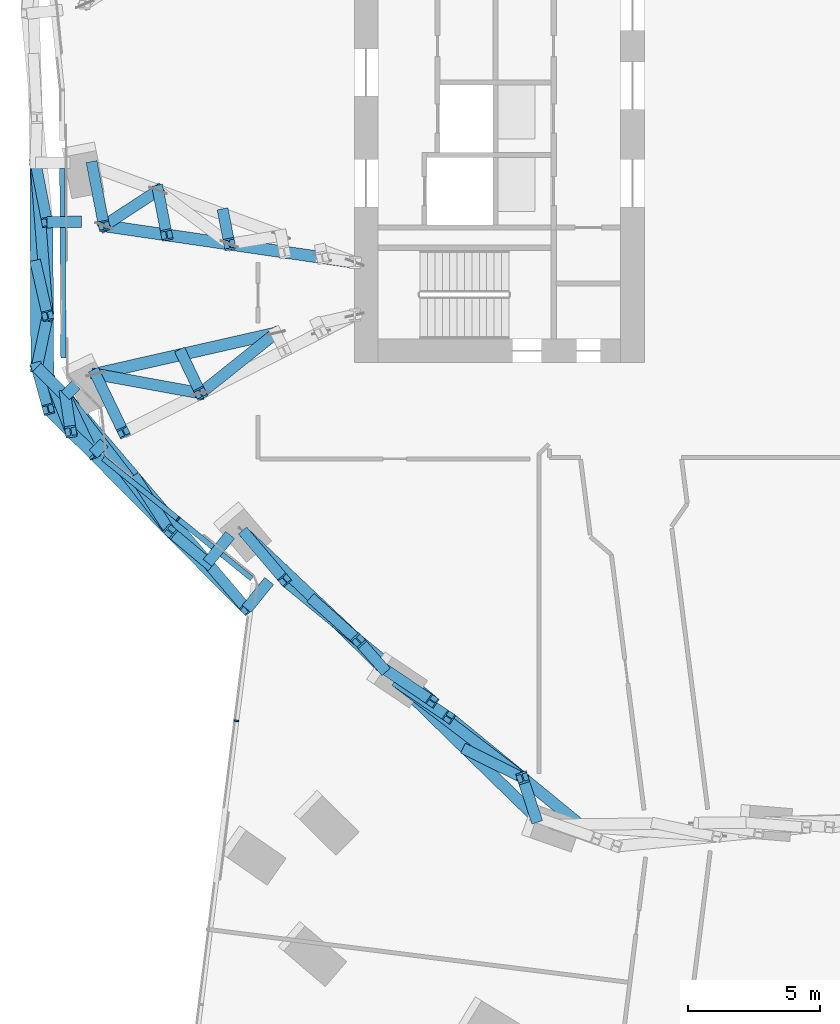
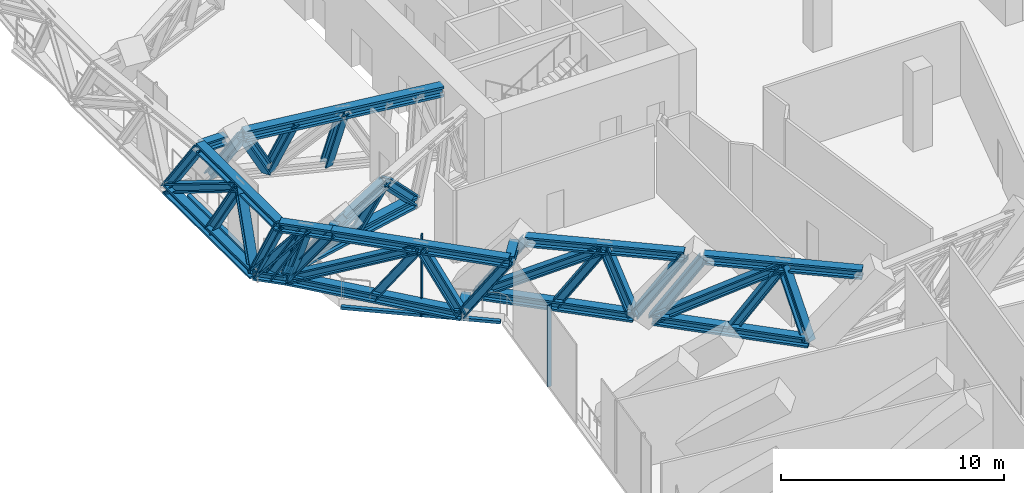
# One storey, part 5 of 27: 51 members, 3 elements without a shape of their own.
"""IFC4 building model written with IfcOpenShell, lengths in metres."""

from ifc_helpers import new_model, si_unit, direction, frame, origin, origin_2d, place, context, subcontext, project, spatial, rectangle, i_section, extrude, material, material_profile, profile_set, type_object, element, aggregate, save


model = new_model("IFC4")

# Units and contexts
model_context = context("Model", 3, precision=1e-05, world=origin(), true_north=direction((0.0, 1.0)))
body_context = subcontext(model_context, "Body", "Model", "MODEL_VIEW")
ifc_project = project(units=[si_unit("LENGTHUNIT", "METRE"), si_unit("AREAUNIT", "SQUARE_METRE"), si_unit("VOLUMEUNIT", "CUBIC_METRE"), si_unit("PLANEANGLEUNIT", "RADIAN"), si_unit("MASSUNIT", "GRAM", prefix="KILO")], contexts=[model_context])

# Site, building, storey
site_placement = place(None, origin())
site = spatial("IfcSite", under=ifc_project, at=site_placement, CompositionType="ELEMENT")
building_placement = place(site_placement, origin())
building = spatial("IfcBuilding", under=site, at=building_placement, Name="Orlundy Tower", CompositionType="ELEMENT")
storey_placement = place(building_placement, frame((0.0, 0.0, 206.10009765625)))
storey = spatial("IfcBuildingStorey", under=building, at=storey_placement, Name="L54", CompositionType="ELEMENT", Elevation=206.10009765625)

# Members
ifc_material_1 = material(Name="Steel ASTM A992 Gr 50", Category="steel")
ifc_material_profile_1 = material_profile(ifc_material_1, i_section(OverallWidth=0.4423828125, OverallDepth=0.531494140625, WebThickness=0.06591796875, FlangeThickness=0.105712890625, at=origin_2d()), Name="W14X605")
ifc_profile_set_1 = profile_set([ifc_material_profile_1], Name="Steel ASTM A992 Gr 50")
member_type_1 = type_object("IfcMemberType", Name="BELT TRUSS chord W14X605", PredefinedType="CHORD", material=ifc_profile_set_1)
member_1_placement = place(storey_placement, frame((-31.0869140625, -4.426513671875, 0.28466796875), z_axis=(0.005853005665, -0.999982871016, 0.0), x_axis=(0.999982871016, 0.005853005665, 0.0)))
element("IfcMember", 1, at=member_1_placement, inside=storey, type_object=member_type_1, Name="Belt truss bottom chord BT-01A", PredefinedType="CHORD", context=body_context, shape_type="SweptSolid", body=[
    extrude(i_section(OverallWidth=0.4423828125, OverallDepth=0.531494140625, WebThickness=0.06591796875, FlangeThickness=0.105712890625, at=origin_2d()), origin(), (0.0, 0.0, 1.0), 7.758544921875),
])
member_2_placement = place(storey_placement, frame((-30.649658203125, -6.672119140625, 3.715087890625), z_axis=(0.005879015501, -0.999982718439, 0.0), x_axis=(0.999982718439, 0.005879015501, 0.0)))
element("IfcMember", 2, at=member_2_placement, inside=storey, type_object=member_type_1, Name="Belt truss top chord BT-01A", PredefinedType="CHORD", context=body_context, shape_type="SweptSolid", body=[
    extrude(i_section(OverallWidth=0.4423828125, OverallDepth=0.531494140625, WebThickness=0.06591796875, FlangeThickness=0.105712890625, at=origin_2d()), origin(), (0.0, 0.0, 1.0), 7.101318359375),
])
member_3_placement = place(storey_placement, frame((-31.04150390625, -12.184814453125, 0.28466796875), z_axis=(0.711256735821, -0.702932326579, 0.0), x_axis=(0.702932326579, 0.711256735821, 0.0)))
element("IfcMember", 3, at=member_3_placement, inside=storey, type_object=member_type_1, Name="Belt truss bottom chord BT-01B", PredefinedType="CHORD", context=body_context, shape_type="SweptSolid", body=[
    extrude(i_section(OverallWidth=0.4423828125, OverallDepth=0.531494140625, WebThickness=0.06591796875, FlangeThickness=0.105712890625, at=origin_2d()), origin(), (0.0, 0.0, 1.0), 1.525146484375),
])
member_4_placement = place(storey_placement, frame((-30.60791015625, -13.773193359375, 3.715087890625), z_axis=(0.71114786921, -0.703042465373, 0.0), x_axis=(0.703042465373, 0.71114786921, 0.0)))
element("IfcMember", 4, at=member_4_placement, inside=storey, type_object=member_type_1, Name="Belt truss top chord BT-01B", PredefinedType="CHORD", context=body_context, shape_type="SweptSolid", body=[
    extrude(i_section(OverallWidth=0.4423828125, OverallDepth=0.531494140625, WebThickness=0.06591796875, FlangeThickness=0.105712890625, at=origin_2d()), origin(), (0.0, 0.0, 1.0), 2.40966796875),
])
member_5_placement = place(storey_placement, frame((-29.956787109375, -13.2568359375, 0.28466796875), z_axis=(0.648011865793, -0.761630239546, 0.0), x_axis=(0.761630239546, 0.648011865793, 0.0)))
element("IfcMember", 5, at=member_5_placement, inside=storey, type_object=member_type_1, Name="Belt truss bottom chord BT-02A", PredefinedType="CHORD", context=body_context, shape_type="SweptSolid", body=[
    extrude(i_section(OverallWidth=0.4423828125, OverallDepth=0.531494140625, WebThickness=0.06591796875, FlangeThickness=0.105712890625, at=origin_2d()), origin(), (0.0, 0.0, 1.0), 8.324462890625),
])
member_6_placement = place(storey_placement, frame((-28.894287109375, -15.46728515625, 3.715087890625), z_axis=(0.70332954229, -0.710863949671, 0.0), x_axis=(0.710863949671, 0.70332954229, 0.0)))
element("IfcMember", 6, at=member_6_placement, inside=storey, type_object=member_type_1, Name="Belt truss top chord BT-02A", PredefinedType="CHORD", context=body_context, shape_type="SweptSolid", body=[
    extrude(i_section(OverallWidth=0.4423828125, OverallDepth=0.531494140625, WebThickness=0.06591796875, FlangeThickness=0.105712890625, at=origin_2d()), origin(), (0.0, 0.0, 1.0), 8.262939453125),
])
member_7_placement = place(storey_placement, frame((-23.119140625, -18.50634765625, 0.28466796875), z_axis=(0.71570179221, -0.698406002715, 0.0), x_axis=(0.698406002715, 0.71570179221, 0.0)))
element("IfcMember", 7, at=member_7_placement, inside=storey, type_object=member_type_1, Name="Belt truss bottom chord BT-03", PredefinedType="CHORD", context=body_context, shape_type="SweptSolid", body=[
    extrude(i_section(OverallWidth=0.4423828125, OverallDepth=0.531494140625, WebThickness=0.06591796875, FlangeThickness=0.105712890625, at=origin_2d()), origin(), (0.0, 0.0, 1.0), 7.2412109375),
])
member_8_placement = place(storey_placement, frame((-21.639404296875, -20.25048828125, 3.715087890625), z_axis=(0.77331406853, -0.63402314738, 0.0), x_axis=(0.63402314738, 0.77331406853, 0.0)))
element("IfcMember", 8, at=member_8_placement, inside=storey, type_object=member_type_1, Name="Belt truss top chord BT-03", PredefinedType="CHORD", context=body_context, shape_type="SweptSolid", body=[
    extrude(i_section(OverallWidth=0.4423828125, OverallDepth=0.531494140625, WebThickness=0.06591796875, FlangeThickness=0.105712890625, at=origin_2d()), origin(), (0.0, 0.0, 1.0), 7.242431640625),
])
member_9_placement = place(storey_placement, frame((-17.310302734375, -24.1748046875, 0.28466796875), z_axis=(0.715702199489, -0.698405585349, 0.0), x_axis=(0.698405585349, 0.715702199489, 0.0)))
element("IfcMember", 9, at=member_9_placement, inside=storey, type_object=member_type_1, Name="Belt truss bottom chord BT-04", PredefinedType="CHORD", context=body_context, shape_type="SweptSolid", body=[
    extrude(i_section(OverallWidth=0.4423828125, OverallDepth=0.531494140625, WebThickness=0.06591796875, FlangeThickness=0.105712890625, at=origin_2d()), origin(), (0.0, 0.0, 1.0), 7.240966796875),
])
member_10_placement = place(storey_placement, frame((-15.41259765625, -25.453369140625, 3.715087890625), z_axis=(0.773312425447, -0.634025151433, 0.0), x_axis=(0.634025151433, 0.773312425447, 0.0)))
element("IfcMember", 10, at=member_10_placement, inside=storey, type_object=member_type_1, Name="Belt truss top chord BT-04", PredefinedType="CHORD", context=body_context, shape_type="SweptSolid", body=[
    extrude(i_section(OverallWidth=0.4423828125, OverallDepth=0.531494140625, WebThickness=0.06591796875, FlangeThickness=0.105712890625, at=origin_2d()), origin(), (0.0, 0.0, 1.0), 7.24072265625),
])
ifc_material_2 = material(Name="Steel ASTM A992 Gr 50", Category="steel")
ifc_material_profile_2 = material_profile(ifc_material_2, i_section(OverallWidth=0.42431640625, OverallDepth=0.47412109375, WebThickness=0.0478515625, FlangeThickness=0.0771484375, at=origin_2d()), Name="W14X426")
ifc_profile_set_2 = profile_set([ifc_material_profile_2], Name="Steel ASTM A992 Gr 50")
member_type_2 = type_object("IfcMemberType", Name="BELT TRUSS diagonal W14X426", PredefinedType="BRACE", material=ifc_profile_set_2)
member_11_placement = place(storey_placement, frame((-31.0869140625, -4.426513671875, 0.28466796875), z_axis=(0.067845325559, -0.858590551221, 0.508152808862), x_axis=(0.996892510781, 0.078773865896, 0.0)))
element("IfcMember", 11, at=member_11_placement, inside=storey, type_object=member_type_2, Name="Belt truss diagonal BT-01A-0", PredefinedType="BRACE", context=body_context, shape_type="SweptSolid", body=[
    extrude(i_section(OverallWidth=0.42431640625, OverallDepth=0.47412109375, WebThickness=0.0478515625, FlangeThickness=0.0771484375, at=origin_2d()), origin(), (0.0, 0.0, 1.0), 6.750732421875),
])
member_12_placement = place(storey_placement, frame((-30.62890625, -10.22265625, 3.715087890625), z_axis=(-0.103839374491, -0.493820741293, -0.863341450281), x_axis=(0.978598849456, -0.205777286995, 0.0)))
element("IfcMember", 12, at=member_12_placement, inside=storey, type_object=member_type_2, Name="Belt truss diagonal BT-01A-1", PredefinedType="BRACE", context=body_context, shape_type="SweptSolid", body=[
    extrude(i_section(OverallWidth=0.42431640625, OverallDepth=0.47412109375, WebThickness=0.0478515625, FlangeThickness=0.0771484375, at=origin_2d()), origin(), (0.0, 0.0, 1.0), 3.973388671875),
])
member_13_placement = place(storey_placement, frame((-31.04150390625, -12.184814453125, 0.28466796875), z_axis=(0.293212106439, -0.553469058436, 0.779550294716), x_axis=(0.883656450533, 0.468135960412, 0.0)))
element("IfcMember", 13, at=member_13_placement, inside=storey, type_object=member_type_2, Name="Belt truss diagonal BT-01B-0", PredefinedType="BRACE", context=body_context, shape_type="SweptSolid", body=[
    extrude(i_section(OverallWidth=0.42431640625, OverallDepth=0.47412109375, WebThickness=0.0478515625, FlangeThickness=0.0771484375, at=origin_2d()), origin(), (0.0, 0.0, 1.0), 4.400390625),
])
member_14_placement = place(storey_placement, frame((-29.751220703125, -14.620361328125, 3.715087890625), z_axis=(-0.055600661821, 0.368800114337, -0.927844298398), x_axis=(-0.988825693202, -0.149076317579, 0.0)))
element("IfcMember", 14, at=member_14_placement, inside=storey, type_object=member_type_2, Name="Belt truss diagonal BT-01B-1", PredefinedType="BRACE", context=body_context, shape_type="SweptSolid", body=[
    extrude(i_section(OverallWidth=0.42431640625, OverallDepth=0.47412109375, WebThickness=0.0478515625, FlangeThickness=0.0771484375, at=origin_2d()), origin(), (0.0, 0.0, 1.0), 3.697265625),
])
member_15_placement = place(storey_placement, frame((-29.956787109375, -13.2568359375, 0.28466796875), z_axis=(0.539955848386, -0.700407844677, 0.466772463743), x_axis=(0.791978411255, 0.610549093936, 0.0)))
element("IfcMember", 15, at=member_15_placement, inside=storey, type_object=member_type_2, Name="Belt truss diagonal BT-02A-0", PredefinedType="BRACE", context=body_context, shape_type="SweptSolid", body=[
    extrude(i_section(OverallWidth=0.42431640625, OverallDepth=0.47412109375, WebThickness=0.0478515625, FlangeThickness=0.0771484375, at=origin_2d()), origin(), (0.0, 0.0, 1.0), 7.34912109375),
])
member_16_placement = place(storey_placement, frame((-25.988525390625, -18.404296875, 3.715087890625), z_axis=(0.365483113998, -0.305664271851, -0.879199321142), x_axis=(0.641539745441, 0.76708979593, 0.0)))
element("IfcMember", 16, at=member_16_placement, inside=storey, type_object=member_type_2, Name="Belt truss diagonal BT-02A-1", PredefinedType="BRACE", context=body_context, shape_type="SweptSolid", body=[
    extrude(i_section(OverallWidth=0.42431640625, OverallDepth=0.47412109375, WebThickness=0.0478515625, FlangeThickness=0.0771484375, at=origin_2d()), origin(), (0.0, 0.0, 1.0), 3.90185546875),
])
member_17_placement = place(storey_placement, frame((-23.119140625, -18.50634765625, 0.28466796875), z_axis=(0.628273425908, -0.593044815009, 0.503557692512), x_axis=(0.686424967736, 0.727200635085, 0.0)))
element("IfcMember", 17, at=member_17_placement, inside=storey, type_object=member_type_2, Name="Belt truss diagonal BT-03-0", PredefinedType="BRACE", context=body_context, shape_type="SweptSolid", body=[
    extrude(i_section(OverallWidth=0.42431640625, OverallDepth=0.47412109375, WebThickness=0.0478515625, FlangeThickness=0.0771484375, at=origin_2d()), origin(), (0.0, 0.0, 1.0), 6.812255859375),
])
member_18_placement = place(storey_placement, frame((-18.839111328125, -22.54638671875, 3.715087890625), z_axis=(0.244591961118, -0.275686962938, -0.929608235238), x_axis=(0.748032953378, 0.663661585946, 0.0)))
element("IfcMember", 18, at=member_18_placement, inside=storey, type_object=member_type_2, Name="Belt truss diagonal BT-03-1", PredefinedType="BRACE", context=body_context, shape_type="SweptSolid", body=[
    extrude(i_section(OverallWidth=0.42431640625, OverallDepth=0.47412109375, WebThickness=0.0478515625, FlangeThickness=0.0771484375, at=origin_2d()), origin(), (0.0, 0.0, 1.0), 3.690185546875),
])
member_19_placement = place(storey_placement, frame((-17.310302734375, -24.1748046875, 0.28466796875), z_axis=(0.688080071631, -0.523507310878, 0.502479761265), x_axis=(0.605498483299, 0.795846459264, 0.0)))
element("IfcMember", 19, at=member_19_placement, inside=storey, type_object=member_type_2, Name="Belt truss diagonal BT-04-0", PredefinedType="BRACE", context=body_context, shape_type="SweptSolid", body=[
    extrude(i_section(OverallWidth=0.42431640625, OverallDepth=0.47412109375, WebThickness=0.0478515625, FlangeThickness=0.0771484375, at=origin_2d()), origin(), (0.0, 0.0, 1.0), 6.826904296875),
])
member_20_placement = place(storey_placement, frame((-12.61279296875, -27.748779296875, 3.715087890625), z_axis=(0.128657486874, -0.393551980242, -0.910254958745), x_axis=(0.950497991191, 0.310730701318, 0.0)))
element("IfcMember", 20, at=member_20_placement, inside=storey, type_object=member_type_2, Name="Belt truss diagonal BT-04-1", PredefinedType="BRACE", context=body_context, shape_type="SweptSolid", body=[
    extrude(i_section(OverallWidth=0.42431640625, OverallDepth=0.47412109375, WebThickness=0.0478515625, FlangeThickness=0.0771484375, at=origin_2d()), origin(), (0.0, 0.0, 1.0), 3.7685546875),
])
ifc_material_3 = material(Name="Steel ASTM A992 Gr 50", Category="steel")
ifc_material_profile_3 = material_profile(ifc_material_3, i_section(OverallWidth=0.412109375, OverallDepth=0.434814453125, WebThickness=0.035888671875, FlangeThickness=0.057373046875, at=origin_2d()), Name="W14X311")
ifc_profile_set_3 = profile_set([ifc_material_profile_3], Name="Steel ASTM A992 Gr 50")
member_type_3 = type_object("IfcMemberType", Name="BELT TRUSS post W14X311", PredefinedType="POST", material=ifc_profile_set_3)
member_21_placement = place(storey_placement, frame((-31.064208984375, -8.3056640625, 0.28466796875), z_axis=(0.110098737507, -0.484854339263, 0.867637330742), x_axis=(0.975174318173, 0.221438590079, 0.0)))
element("IfcMember", 21, at=member_21_placement, inside=storey, type_object=member_type_3, Name="Belt truss post BT-01A-1", PredefinedType="POST", context=body_context, shape_type="SweptSolid", body=[
    extrude(i_section(OverallWidth=0.412109375, OverallDepth=0.434814453125, WebThickness=0.035888671875, FlangeThickness=0.057373046875, at=origin_2d()), origin(), (0.0, 0.0, 1.0), 3.953857421875),
])
member_22_placement = place(storey_placement, frame((-31.04150390625, -12.184814453125, 0.28466796875), z_axis=(0.113950897417, -0.417434987947, 0.901533817344), x_axis=(0.964702202051, 0.263343238679, 0.0)))
element("IfcMember", 22, at=member_22_placement, inside=storey, type_object=member_type_3, Name="Belt truss post BT-01A-2", PredefinedType="POST", context=body_context, shape_type="SweptSolid", body=[
    extrude(i_section(OverallWidth=0.412109375, OverallDepth=0.434814453125, WebThickness=0.035888671875, FlangeThickness=0.057373046875, at=origin_2d()), origin(), (0.0, 0.0, 1.0), 3.80517578125),
])
member_23_placement = place(storey_placement, frame((-30.499267578125, -12.720947265625, 0.28466796875), z_axis=(0.18739199062, -0.475819088455, 0.859348844715), x_axis=(0.930442993038, 0.366436674893, 0.0)))
element("IfcMember", 23, at=member_23_placement, inside=storey, type_object=member_type_3, Name="Belt truss post BT-01B-1", PredefinedType="POST", context=body_context, shape_type="SweptSolid", body=[
    extrude(i_section(OverallWidth=0.412109375, OverallDepth=0.434814453125, WebThickness=0.035888671875, FlangeThickness=0.057373046875, at=origin_2d()), origin(), (0.0, 0.0, 1.0), 3.991943359375),
])
member_24_placement = place(storey_placement, frame((-29.956787109375, -13.2568359375, 0.28466796875), z_axis=(0.251958606849, -0.524180428863, 0.813481246515), x_axis=(0.901286809659, 0.433222906521, 0.0)))
element("IfcMember", 24, at=member_24_placement, inside=storey, type_object=member_type_3, Name="Belt truss post BT-01B-2", PredefinedType="POST", context=body_context, shape_type="SweptSolid", body=[
    extrude(i_section(OverallWidth=0.412109375, OverallDepth=0.434814453125, WebThickness=0.035888671875, FlangeThickness=0.057373046875, at=origin_2d()), origin(), (0.0, 0.0, 1.0), 4.217041015625),
])
member_25_placement = place(storey_placement, frame((-27.259765625, -16.427001953125, 0.28466796875), z_axis=(0.305693237716, -0.475477152345, 0.824907947599), x_axis=(0.84115485319, 0.540794335172, 0.0)))
element("IfcMember", 25, at=member_25_placement, inside=storey, type_object=member_type_3, Name="Belt truss post BT-02A-1", PredefinedType="POST", context=body_context, shape_type="SweptSolid", body=[
    extrude(i_section(OverallWidth=0.412109375, OverallDepth=0.434814453125, WebThickness=0.035888671875, FlangeThickness=0.057373046875, at=origin_2d()), origin(), (0.0, 0.0, 1.0), 4.158447265625),
])
for number, where, z_axis, x_axis, name in (
    (26, (-24.5625, -19.596923828125, 0.28466796875), (0.358894824127, -0.42302336637, 0.83201306283), (0.762539452129, 0.646941716035, 0.0), "Belt truss post BT-02A-2"),
    (27, (-23.119140625, -18.50634765625, 0.28466796875), (0.358894824127, -0.42302336637, 0.83201306283), (0.762539452129, 0.646941716035, 0.0), "Belt truss post BT-03-0"),
):
    element("IfcMember", number, at=place(storey_placement, frame(where, z_axis=z_axis, x_axis=x_axis)), inside=storey, type_object=member_type_3, Name=name, PredefinedType="POST", context=body_context, shape_type="SweptSolid", body=[
        extrude(i_section(OverallWidth=0.412109375, OverallDepth=0.434814453125, WebThickness=0.035888671875, FlangeThickness=0.057373046875, at=origin_2d()), origin(), (0.0, 0.0, 1.0), 4.123046875),
    ])
member_26_placement = place(storey_placement, frame((-20.52783203125, -21.034912109375, 0.28466796875), z_axis=(0.410734914804, -0.367624672192, 0.834355397991), x_axis=(0.666920804449, 0.745128606747, 0.0)))
element("IfcMember", 28, at=member_26_placement, inside=storey, type_object=member_type_3, Name="Belt truss post BT-03-1", PredefinedType="POST", context=body_context, shape_type="SweptSolid", body=[
    extrude(i_section(OverallWidth=0.412109375, OverallDepth=0.434814453125, WebThickness=0.035888671875, FlangeThickness=0.057373046875, at=origin_2d()), origin(), (0.0, 0.0, 1.0), 4.111572265625),
])
for number, where, z_axis, x_axis, name in (
    (29, (-17.9365234375, -23.563720703125, 0.28466796875), (0.460209756906, -0.310062845352, 0.831906251678), (0.55875616112, 0.829331991672, 0.0), "Belt truss post BT-03-2"),
    (30, (-17.310302734375, -24.1748046875, 0.28466796875), (0.460209756906, -0.310062845352, 0.831906251678), (0.55875616112, 0.829331991672, 0.0), "Belt truss post BT-04-0"),
):
    element("IfcMember", number, at=place(storey_placement, frame(where, z_axis=z_axis, x_axis=x_axis)), inside=storey, type_object=member_type_3, Name=name, PredefinedType="POST", context=body_context, shape_type="SweptSolid", body=[
        extrude(i_section(OverallWidth=0.412109375, OverallDepth=0.434814453125, WebThickness=0.035888671875, FlangeThickness=0.057373046875, at=origin_2d()), origin(), (0.0, 0.0, 1.0), 4.12353515625),
    ])
member_27_placement = place(storey_placement, frame((-14.71923828125, -26.703369140625, 0.28466796875), z_axis=(0.50647156246, -0.251357351698, 0.824806667145), x_axis=(0.444553849388, 0.895752128099, 0.0)))
element("IfcMember", 31, at=member_27_placement, inside=storey, type_object=member_type_3, Name="Belt truss post BT-04-1", PredefinedType="POST", context=body_context, shape_type="SweptSolid", body=[
    extrude(i_section(OverallWidth=0.412109375, OverallDepth=0.434814453125, WebThickness=0.035888671875, FlangeThickness=0.057373046875, at=origin_2d()), origin(), (0.0, 0.0, 1.0), 4.1591796875),
])
member_28_placement = place(storey_placement, frame((-31.0869140625, -4.426513671875, 0.28466796875), z_axis=(0.106044766631, -0.544611816567, 0.831957016153), x_axis=(0.981565370502, 0.191126720871, 0.0)))
element("IfcMember", 32, at=member_28_placement, inside=storey, type_object=member_type_3, Name="Belt truss post BT-24A-2", PredefinedType="POST", context=body_context, shape_type="SweptSolid", body=[
    extrude(i_section(OverallWidth=0.412109375, OverallDepth=0.434814453125, WebThickness=0.035888671875, FlangeThickness=0.057373046875, at=origin_2d()), origin(), (0.0, 0.0, 1.0), 4.123291015625),
])
ifc_material_4 = material(Name="Steel ASTM A992 Gr 50", Category="steel")
ifc_material_profile_4 = material_profile(ifc_material_4, i_section(OverallWidth=0.43212890625, OverallDepth=0.497802734375, WebThickness=0.0556640625, FlangeThickness=0.0888671875, at=origin_2d()), Name="W14X500")
ifc_profile_set_4 = profile_set([ifc_material_profile_4], Name="Steel ASTM A992 Gr 50")
member_type_4 = type_object("IfcMemberType", Name="BELT TRUSS strut W14X500", PredefinedType="STRUT", material=ifc_profile_set_4)
member_29_placement = place(storey_placement, frame((-29.33984375, -6.664306640625, 3.715087890625), z_axis=(-0.999982212336, -0.005964479179, 0.0), x_axis=(0.005964479179, -0.999982212336, 0.0)))
element("IfcMember", 33, at=member_29_placement, inside=storey, type_object=member_type_4, Name="Belt truss bracket C-H17", PredefinedType="STRUT", context=body_context, shape_type="SweptSolid", body=[
    extrude(i_section(OverallWidth=0.43212890625, OverallDepth=0.497802734375, WebThickness=0.0556640625, FlangeThickness=0.0888671875, at=origin_2d()), origin(), (0.0, 0.0, 1.0), 1.309814453125),
])
member_30_placement = place(storey_placement, frame((-29.54833984375, -12.843505859375, 0.28466796875), z_axis=(-0.702892907289, -0.711295691596, 0.0), x_axis=(0.711295691596, -0.702892907289, 0.0)))
element("IfcMember", 34, at=member_30_placement, inside=storey, type_object=member_type_4, Name="Belt truss bracket C-H16", PredefinedType="STRUT", context=body_context, shape_type="SweptSolid", body=[
    extrude(i_section(OverallWidth=0.43212890625, OverallDepth=0.497802734375, WebThickness=0.0556640625, FlangeThickness=0.0888671875, at=origin_2d()), origin(), (0.0, 0.0, 1.0), 0.5810546875),
])
member_31_placement = place(storey_placement, frame((-28.485595703125, -15.053955078125, 3.715087890625), z_axis=(-0.703105379047, -0.7110856671, 0.0), x_axis=(0.7110856671, -0.703105379047, 0.0)))
element("IfcMember", 35, at=member_31_placement, inside=storey, type_object=member_type_4, Name="Belt truss bracket C-H16", PredefinedType="STRUT", context=body_context, shape_type="SweptSolid", body=[
    extrude(i_section(OverallWidth=0.43212890625, OverallDepth=0.497802734375, WebThickness=0.0556640625, FlangeThickness=0.0888671875, at=origin_2d()), origin(), (0.0, 0.0, 1.0), 0.581298828125),
])
for number, where, z_axis, x_axis, name in (
    (36, (-23.70751953125, -18.540771484375, 0.28466796875), (-0.629198228668, -0.777244870707, 0.0), (0.777244870707, -0.629198228668, 0.0), "Belt truss bracket C-H15"),
    (37, (-22.227783203125, -20.284912109375, 3.715087890625), (-0.629198228668, -0.777244870707, 0.0), (0.777244870707, -0.629198228668, 0.0), "Belt truss bracket C-H15"),
):
    element("IfcMember", number, at=place(storey_placement, frame(where, z_axis=z_axis, x_axis=x_axis)), inside=storey, type_object=member_type_4, Name=name, PredefinedType="STRUT", context=body_context, shape_type="SweptSolid", body=[
        extrude(i_section(OverallWidth=0.43212890625, OverallDepth=0.497802734375, WebThickness=0.0556640625, FlangeThickness=0.0888671875, at=origin_2d()), origin(), (0.0, 0.0, 1.0), 1.35888671875),
    ])

# Curtain wall, member
ifc_material_5 = material(Name="Aluminium bronze anodised", Category="aluminium")
curtain_wall_type = type_object("IfcCurtainWallType", Name="CW4 wall", PredefinedType="NOTDEFINED", material=ifc_material_5)
curtain_wall_1_placement = place(storey_placement, origin())
curtain_wall_1 = element("IfcCurtainWall", 38, at=curtain_wall_1_placement, inside=storey, type_object=curtain_wall_type, Name="CW4 run 00", PredefinedType="NOTDEFINED")
ifc_material_6 = material(Name="Aluminium bronze anodised", Category="aluminium")
ifc_material_profile_5 = material_profile(ifc_material_6, rectangle(XDim=0.199951171875, YDim=0.06005859375, at=origin_2d()), Name="CW4 mullion 60x200")
ifc_profile_set_5 = profile_set([ifc_material_profile_5], Name="Aluminium bronze anodised")
member_type_5 = type_object("IfcMemberType", Name="CW4 mullion 60x200", PredefinedType="MULLION", material=ifc_profile_set_5)
member_32_placement = place(storey_placement, frame((-25.681396484375, -17.934814453125, -0.4501953125), z_axis=(0.0, 0.0, 1.0), x_axis=(-0.62926334192, -0.777192155465, 0.0)))
member_32 = element("IfcMember", 39, at=member_32_placement, type_object=member_type_5, Name="CW4 mullion 2", PredefinedType="MULLION", context=body_context, shape_type="SweptSolid", body=[
    extrude(rectangle(XDim=0.199951171875, YDim=0.06005859375, at=origin_2d()), origin(), (0.0, 0.0, 1.0), 4.4501953125),
])

curtain_wall_2_placement = place(storey_placement, origin())
curtain_wall_2 = element("IfcCurtainWall", 40, at=curtain_wall_2_placement, inside=storey, type_object=curtain_wall_type, Name="CW4 run 044", PredefinedType="NOTDEFINED")
member_33_placement = place(storey_placement, frame((-23.4755859375, -25.58642578125, -0.4501953125), z_axis=(0.0, 0.0, 1.0), x_axis=(-0.992185656723, 0.124770279283, 0.0)))
member_33 = element("IfcMember", 41, at=member_33_placement, type_object=member_type_5, Name="CW4 mullion 69", PredefinedType="MULLION", context=body_context, shape_type="SweptSolid", body=[
    extrude(rectangle(XDim=0.199951171875, YDim=0.06005859375, at=origin_2d()), origin(), (0.0, 0.0, 1.0), 4.4501953125),
])
aggregate(curtain_wall_2, [member_33])

# Member
ifc_material_7 = material(Name="Aluminium bronze anodised", Category="aluminium")
ifc_material_profile_6 = material_profile(ifc_material_7, rectangle(XDim=0.199951171875, YDim=0.14990234375, at=origin_2d()), Name="CW4 transom 200x150")
ifc_profile_set_6 = profile_set([ifc_material_profile_6], Name="Aluminium bronze anodised")
member_type_6 = type_object("IfcMemberType", Name="CW4 transom 200x150", PredefinedType="USERDEFINED", material=ifc_profile_set_6)
member_34_placement = place(storey_placement, frame((-22.8837890625, -20.19970703125, -0.375), z_axis=(-0.777194712814, 0.629260183369, 0.0), x_axis=(-0.629260183369, -0.777194712814, 0.0)))
member_34 = element("IfcMember", 42, at=member_34_placement, type_object=member_type_6, Name="CW4 transom", ObjectType="TRANSOM", PredefinedType="USERDEFINED", context=body_context, shape_type="SweptSolid", body=[
    extrude(rectangle(XDim=0.199951171875, YDim=0.14990234375, at=origin_2d()), origin(), (0.0, 0.0, 1.0), 7.2548828125),
])

aggregate(curtain_wall_1, [member_32, member_34])

# Curtain wall, member
curtain_wall_3_placement = place(storey_placement, origin())
curtain_wall_3 = element("IfcCurtainWall", 43, at=curtain_wall_3_placement, inside=storey, type_object=curtain_wall_type, Name="CW4 run 03", PredefinedType="NOTDEFINED")
member_35_placement = place(storey_placement, frame((-30.031494140625, -11.8310546875, -0.375), z_axis=(-0.005845865713, 0.999982912781, 0.0), x_axis=(-0.999982912781, -0.005845865713, 0.0)))
member_35 = element("IfcMember", 44, at=member_35_placement, type_object=member_type_6, Name="CW4 transom", ObjectType="TRANSOM", PredefinedType="USERDEFINED", context=body_context, shape_type="SweptSolid", body=[
    extrude(rectangle(XDim=0.199951171875, YDim=0.14990234375, at=origin_2d()), origin(), (0.0, 0.0, 1.0), 7.183349609375),
])
aggregate(curtain_wall_3, [member_35])

# Members
ifc_material_8 = material(Name="Steel ASTM A992 Gr 50", Category="steel")
ifc_material_profile_7 = material_profile(ifc_material_8, i_section(OverallWidth=0.454345703125, OverallDepth=0.569580078125, WebThickness=0.077880859375, FlangeThickness=0.124755859375, at=origin_2d()), Name="W14X730")
ifc_profile_set_7 = profile_set([ifc_material_profile_7], Name="Steel ASTM A992 Gr 50")
member_type_7 = type_object("IfcMemberType", Name="OUTRIGGER TRUSS chord W14X730", PredefinedType="CHORD", material=ifc_profile_set_7)
member_36_placement = place(storey_placement, frame((-21.9677734375, -10.879150390625, 0.28466796875), z_axis=(-0.975120899244, -0.221673705833, 0.0), x_axis=(0.221673705833, -0.975120899244, 0.0)))
element("IfcMember", 45, at=member_36_placement, inside=storey, type_object=member_type_7, Name="Outrigger truss bottom chord OR-W-C-H162", PredefinedType="CHORD", context=body_context, shape_type="SweptSolid", body=[
    extrude(i_section(OverallWidth=0.454345703125, OverallDepth=0.569580078125, WebThickness=0.077880859375, FlangeThickness=0.124755859375, at=origin_2d()), origin(), (0.0, 0.0, 1.0), 7.02099609375),
])
member_37_placement = place(storey_placement, frame((-18.97998046875, -8.199951171875, 3.715087890625), z_axis=(-0.989520358728, 0.144393419733, 0.0), x_axis=(-0.144393419733, -0.989520358728, 0.0)))
element("IfcMember", 46, at=member_37_placement, inside=storey, type_object=member_type_7, Name="Outrigger truss top chord OR-W-C-H17", PredefinedType="CHORD", context=body_context, shape_type="SweptSolid", body=[
    extrude(i_section(OverallWidth=0.454345703125, OverallDepth=0.569580078125, WebThickness=0.077880859375, FlangeThickness=0.124755859375, at=origin_2d()), origin(), (0.0, 0.0, 1.0), 9.6123046875),
])
ifc_material_9 = material(Name="Steel ASTM A992 Gr 50", Category="steel")
ifc_material_profile_8 = material_profile(ifc_material_9, i_section(OverallWidth=0.43212890625, OverallDepth=0.497802734375, WebThickness=0.0556640625, FlangeThickness=0.0888671875, at=origin_2d()), Name="W14X500")
ifc_profile_set_8 = profile_set([ifc_material_profile_8], Name="Steel ASTM A992 Gr 50")
member_type_8 = type_object("IfcMemberType", Name="OUTRIGGER TRUSS diagonal W14X500", PredefinedType="BRACE", material=ifc_profile_set_8)
member_38_placement = place(storey_placement, frame((-21.9677734375, -10.879150390625, 0.28466796875), z_axis=(-0.57007963962, -0.455421313605, 0.683813301717), x_axis=(0.624158063932, -0.781298093706, 0.0)))
element("IfcMember", 47, at=member_38_placement, inside=storey, type_object=member_type_8, Name="Outrigger truss diagonal OR-W-C-H16-2", PredefinedType="BRACE", context=body_context, shape_type="SweptSolid", body=[
    extrude(i_section(OverallWidth=0.43212890625, OverallDepth=0.497802734375, WebThickness=0.0556640625, FlangeThickness=0.0888671875, at=origin_2d()), origin(), (0.0, 0.0, 1.0), 5.0166015625),
])
member_39_placement = place(storey_placement, frame((-24.82763671875, -13.163818359375, 3.715087890625), z_axis=(-0.750835895788, 0.137163541989, -0.646089483234), x_axis=(-0.179707100533, -0.983720162454, 0.0)))
element("IfcMember", 48, at=member_39_placement, inside=storey, type_object=member_type_8, Name="Outrigger truss diagonal OR-W-C-H16-3", PredefinedType="BRACE", context=body_context, shape_type="SweptSolid", body=[
    extrude(i_section(OverallWidth=0.43212890625, OverallDepth=0.497802734375, WebThickness=0.0556640625, FlangeThickness=0.0888671875, at=origin_2d()), origin(), (0.0, 0.0, 1.0), 5.3095703125),
])
member_40_placement = place(storey_placement, frame((-26.441650390625, -5.474853515625, 0.28466796875), z_axis=(-0.48643174621, -0.317316183182, 0.814060560505), x_axis=(0.546362108425, -0.837549071086, 0.0)))
element("IfcMember", 49, at=member_40_placement, inside=storey, type_object=member_type_8, Name="Outrigger truss diagonal OR-W-C-H17-4", PredefinedType="BRACE", context=body_context, shape_type="SweptSolid", body=[
    extrude(i_section(OverallWidth=0.43212890625, OverallDepth=0.497802734375, WebThickness=0.0556640625, FlangeThickness=0.0888671875, at=origin_2d()), origin(), (0.0, 0.0, 1.0), 4.2138671875),
])
ifc_material_10 = material(Name="Steel ASTM A992 Gr 50", Category="steel")
ifc_material_profile_9 = material_profile(ifc_material_10, i_section(OverallWidth=0.41845703125, OverallDepth=0.455078125, WebThickness=0.0419921875, FlangeThickness=0.067626953125, at=origin_2d()), Name="W14X370")
ifc_profile_set_9 = profile_set([ifc_material_profile_9], Name="Steel ASTM A992 Gr 50")
member_type_9 = type_object("IfcMemberType", Name="OUTRIGGER TRUSS post W14X370", PredefinedType="POST", material=ifc_profile_set_9)
member_41_placement = place(storey_placement, frame((-25.5361328125, -11.690185546875, 0.28466796875), z_axis=(0.186437682275, -0.387780100005, 0.902700163215), x_axis=(0.901247939283, 0.433303764049, 0.0)))
element("IfcMember", 50, at=member_41_placement, inside=storey, type_object=member_type_9, Name="Outrigger truss post OR-W-C-H16-3", PredefinedType="POST", context=body_context, shape_type="SweptSolid", body=[
    extrude(i_section(OverallWidth=0.41845703125, OverallDepth=0.455078125, WebThickness=0.0419921875, FlangeThickness=0.067626953125, at=origin_2d()), origin(), (0.0, 0.0, 1.0), 3.80029296875),
])
member_42_placement = place(storey_placement, frame((-28.814208984375, -12.435546875, 0.28466796875), z_axis=(0.252020472843, -0.524130792706, 0.813494064764), x_axis=(0.901229247653, 0.43334263946, 0.0)))
element("IfcMember", 51, at=member_42_placement, inside=storey, type_object=member_type_9, Name="Outrigger truss post OR-W-C-H16-4", PredefinedType="POST", context=body_context, shape_type="SweptSolid", body=[
    extrude(i_section(OverallWidth=0.41845703125, OverallDepth=0.455078125, WebThickness=0.0419921875, FlangeThickness=0.067626953125, at=origin_2d()), origin(), (0.0, 0.0, 1.0), 4.216796875),
])
member_43_placement = place(storey_placement, frame((-23.954345703125, -6.38330078125, 0.28466796875), z_axis=(0.060494295298, -0.310438359131, 0.94866667772), x_axis=(0.981537538251, 0.19126960293, 0.0)))
element("IfcMember", 52, at=member_43_placement, inside=storey, type_object=member_type_9, Name="Outrigger truss post OR-W-C-H17-3", PredefinedType="POST", context=body_context, shape_type="SweptSolid", body=[
    extrude(i_section(OverallWidth=0.41845703125, OverallDepth=0.455078125, WebThickness=0.0419921875, FlangeThickness=0.067626953125, at=origin_2d()), origin(), (0.0, 0.0, 1.0), 3.615966796875),
])
member_44_placement = place(storey_placement, frame((-26.441650390625, -5.474853515625, 0.28466796875), z_axis=(0.085547963311, -0.439069829553, 0.894370857502), x_axis=(0.981542743573, 0.191242888861, 0.0)))
element("IfcMember", 53, at=member_44_placement, inside=storey, type_object=member_type_9, Name="Outrigger truss post OR-W-C-H17-4", PredefinedType="POST", context=body_context, shape_type="SweptSolid", body=[
    extrude(i_section(OverallWidth=0.41845703125, OverallDepth=0.455078125, WebThickness=0.0419921875, FlangeThickness=0.067626953125, at=origin_2d()), origin(), (0.0, 0.0, 1.0), 3.83544921875),
])
member_45_placement = place(storey_placement, frame((-28.9287109375, -4.56640625, 0.28466796875), z_axis=(0.106044766631, -0.544611816567, 0.831957016153), x_axis=(0.981565370502, 0.191126720871, 0.0)))
element("IfcMember", 54, at=member_45_placement, inside=storey, type_object=member_type_9, Name="Outrigger truss post OR-W-C-H17-5", PredefinedType="POST", context=body_context, shape_type="SweptSolid", body=[
    extrude(i_section(OverallWidth=0.41845703125, OverallDepth=0.455078125, WebThickness=0.0419921875, FlangeThickness=0.067626953125, at=origin_2d()), origin(), (0.0, 0.0, 1.0), 4.123291015625),
])

save(model, "model.ifc")
